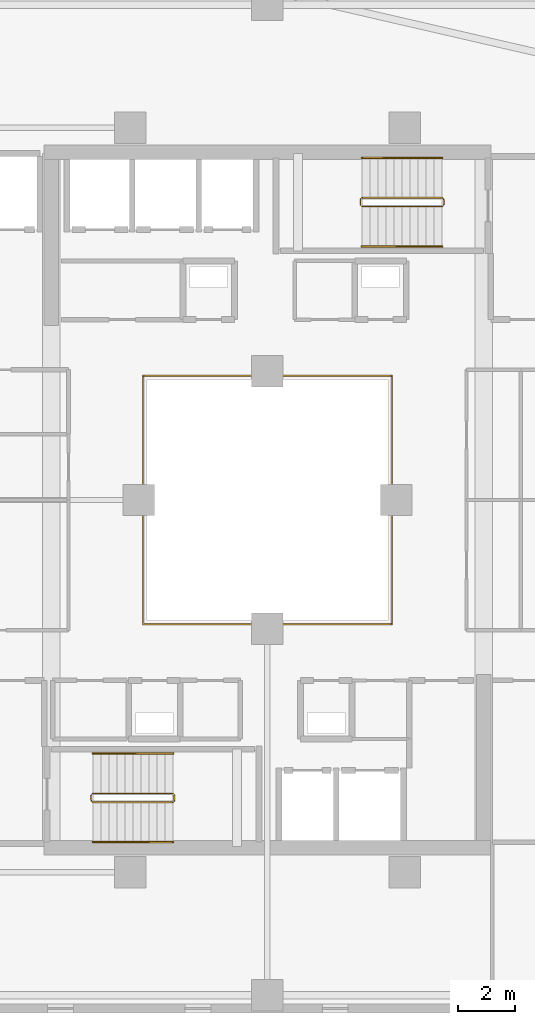
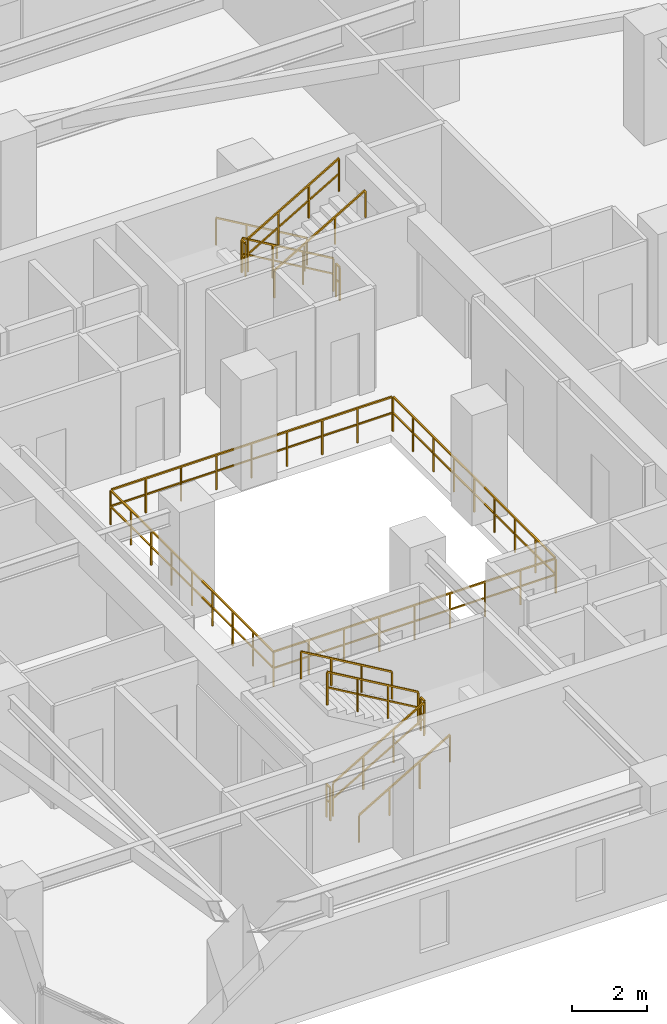
# One storey, part 30 of 33: 13 railings.
"""IFC4 building model written with IfcOpenShell, lengths in metres."""

from ifc_helpers import new_model, si_unit, direction, frame, origin, origin_2d, place, context, subcontext, project, spatial, rectangle, extrude, material, type_object, element, save


model = new_model("IFC4")

# Units and contexts
model_context = context("Model", 3, precision=1e-05, world=origin(), true_north=direction((0.0, 1.0)))
body_context = subcontext(model_context, "Body", "Model", "MODEL_VIEW")
ifc_project = project(units=[si_unit("LENGTHUNIT", "METRE"), si_unit("AREAUNIT", "SQUARE_METRE"), si_unit("VOLUMEUNIT", "CUBIC_METRE"), si_unit("PLANEANGLEUNIT", "RADIAN"), si_unit("MASSUNIT", "GRAM", prefix="KILO")], contexts=[model_context])

# Site, building, storey
site_placement = place(None, origin())
site = spatial("IfcSite", under=ifc_project, at=site_placement, CompositionType="ELEMENT")
building_placement = place(site_placement, origin())
building = spatial("IfcBuilding", under=site, at=building_placement, Name="Thornwick Lancets Civic Towers", CompositionType="ELEMENT")
storey_placement = place(building_placement, frame((0.0, 0.0, 192.89990234375)))
storey = spatial("IfcBuildingStorey", under=building, at=storey_placement, Name="L51", CompositionType="ELEMENT", Elevation=192.89990234375)

# Railings
ifc_material_1 = material(Name="Laminated glass and bronze steel S355", Category="steel")
railing_type_1 = type_object("IfcRailingType", Name="RAIL_ATRIUM_GUARD", PredefinedType="BALUSTRADE", material=ifc_material_1)
railing_1_placement = place(storey_placement, frame((21.159912109375, 22.659912109375, 0.0)))
element("IfcRailing", 1, at=railing_1_placement, inside=storey, type_object=railing_type_1, Name="L51 Tower A Central Atrium Guard Balustrade", PredefinedType="BALUSTRADE", context=body_context, shape_type="SweptSolid", body=[
    extrude(rectangle(XDim=0.048095703125, YDim=0.048095703125, at=origin_2d()), frame((0.0, 0.0, 1.1259765625), z_axis=(1.0, 0.0, 0.0), x_axis=(0.0, 1.0, 0.0)), (0.0, 0.0, 1.0), 8.64892578125),
    extrude(rectangle(XDim=0.0419921875, YDim=0.0419921875, at=origin_2d()), frame((0.03759765625, 0.0, 0.597900390625), z_axis=(1.0, 0.0, 0.0), x_axis=(0.0, 1.0, 0.0)), (0.0, 0.0, 1.0), 1.010009765625),
    extrude(rectangle(XDim=0.0419921875, YDim=0.0419921875, at=origin_2d()), frame((1.12255859375, 0.0, 0.597900390625), z_axis=(1.0, 0.0, 0.0), x_axis=(0.0, 1.0, 0.0)), (0.0, 0.0, 1.0), 1.010009765625),
    extrude(rectangle(XDim=0.0419921875, YDim=0.0419921875, at=origin_2d()), frame((2.20751953125, 0.0, 0.597900390625), z_axis=(1.0, 0.0, 0.0), x_axis=(0.0, 1.0, 0.0)), (0.0, 0.0, 1.0), 1.010009765625),
    extrude(rectangle(XDim=0.0419921875, YDim=0.0419921875, at=origin_2d()), frame((3.29248046875, 0.0, 0.597900390625), z_axis=(1.0, 0.0, 0.0), x_axis=(0.0, 1.0, 0.0)), (0.0, 0.0, 1.0), 1.010009765625),
    extrude(rectangle(XDim=0.0419921875, YDim=0.0419921875, at=origin_2d()), frame((4.377685546875, 0.0, 0.597900390625), z_axis=(1.0, 0.0, 0.0), x_axis=(0.0, 1.0, 0.0)), (0.0, 0.0, 1.0), 1.010009765625),
    extrude(rectangle(XDim=0.0419921875, YDim=0.0419921875, at=origin_2d()), frame((5.462646484375, 0.0, 0.597900390625), z_axis=(1.0, 0.0, 0.0), x_axis=(0.0, 1.0, 0.0)), (0.0, 0.0, 1.0), 1.010009765625),
    extrude(rectangle(XDim=0.0419921875, YDim=0.0419921875, at=origin_2d()), frame((6.547607421875, 0.0, 0.597900390625), z_axis=(1.0, 0.0, 0.0), x_axis=(0.0, 1.0, 0.0)), (0.0, 0.0, 1.0), 1.010009765625),
    extrude(rectangle(XDim=0.0419921875, YDim=0.0419921875, at=origin_2d()), frame((7.632568359375, 0.0, 0.597900390625), z_axis=(1.0, 0.0, 0.0), x_axis=(0.0, 1.0, 0.0)), (0.0, 0.0, 1.0), 1.010009765625),
    extrude(rectangle(XDim=0.048095703125, YDim=0.048095703125, at=origin_2d()), frame((8.68017578125, 0.03125, 1.1259765625), z_axis=(0.0, 1.0, 0.0), x_axis=(-1.0, 0.0, 0.0)), (0.0, 0.0, 1.0), 8.61767578125),
    extrude(rectangle(XDim=0.0419921875, YDim=0.0419921875, at=origin_2d()), frame((8.68017578125, 0.03759765625, 0.597900390625), z_axis=(0.0, 1.0, 0.0), x_axis=(-1.0, 0.0, 0.0)), (0.0, 0.0, 1.0), 1.010009765625),
    extrude(rectangle(XDim=0.0419921875, YDim=0.0419921875, at=origin_2d()), frame((8.68017578125, 1.12255859375, 0.597900390625), z_axis=(0.0, 1.0, 0.0), x_axis=(-1.0, 0.0, 0.0)), (0.0, 0.0, 1.0), 1.010009765625),
    extrude(rectangle(XDim=0.0419921875, YDim=0.0419921875, at=origin_2d()), frame((8.68017578125, 2.20751953125, 0.597900390625), z_axis=(0.0, 1.0, 0.0), x_axis=(-1.0, 0.0, 0.0)), (0.0, 0.0, 1.0), 1.010009765625),
    extrude(rectangle(XDim=0.0419921875, YDim=0.0419921875, at=origin_2d()), frame((8.68017578125, 3.29248046875, 0.597900390625), z_axis=(0.0, 1.0, 0.0), x_axis=(-1.0, 0.0, 0.0)), (0.0, 0.0, 1.0), 1.010009765625),
    extrude(rectangle(XDim=0.0419921875, YDim=0.0419921875, at=origin_2d()), frame((8.68017578125, 4.377685546875, 0.597900390625), z_axis=(0.0, 1.0, 0.0), x_axis=(-1.0, 0.0, 0.0)), (0.0, 0.0, 1.0), 1.010009765625),
    extrude(rectangle(XDim=0.0419921875, YDim=0.0419921875, at=origin_2d()), frame((8.68017578125, 5.462646484375, 0.597900390625), z_axis=(0.0, 1.0, 0.0), x_axis=(-1.0, 0.0, 0.0)), (0.0, 0.0, 1.0), 1.010009765625),
    extrude(rectangle(XDim=0.0419921875, YDim=0.0419921875, at=origin_2d()), frame((8.68017578125, 6.547607421875, 0.597900390625), z_axis=(0.0, 1.0, 0.0), x_axis=(-1.0, 0.0, 0.0)), (0.0, 0.0, 1.0), 1.010009765625),
    extrude(rectangle(XDim=0.0419921875, YDim=0.0419921875, at=origin_2d()), frame((8.68017578125, 7.632568359375, 0.597900390625), z_axis=(0.0, 1.0, 0.0), x_axis=(-1.0, 0.0, 0.0)), (0.0, 0.0, 1.0), 1.010009765625),
    extrude(rectangle(XDim=0.048095703125, YDim=0.048095703125, at=origin_2d()), frame((8.64892578125, 8.68017578125, 1.1259765625), z_axis=(-1.0, 0.0, 0.0), x_axis=(0.0, -1.0, 0.0)), (0.0, 0.0, 1.0), 8.61767578125),
    extrude(rectangle(XDim=0.0419921875, YDim=0.0419921875, at=origin_2d()), frame((8.642578125, 8.68017578125, 0.597900390625), z_axis=(-1.0, 0.0, 0.0), x_axis=(0.0, -1.0, 0.0)), (0.0, 0.0, 1.0), 1.010009765625),
    extrude(rectangle(XDim=0.0419921875, YDim=0.0419921875, at=origin_2d()), frame((7.5576171875, 8.68017578125, 0.597900390625), z_axis=(-1.0, 0.0, 0.0), x_axis=(0.0, -1.0, 0.0)), (0.0, 0.0, 1.0), 1.010009765625),
    extrude(rectangle(XDim=0.0419921875, YDim=0.0419921875, at=origin_2d()), frame((6.47265625, 8.68017578125, 0.597900390625), z_axis=(-1.0, 0.0, 0.0), x_axis=(0.0, -1.0, 0.0)), (0.0, 0.0, 1.0), 1.010009765625),
    extrude(rectangle(XDim=0.0419921875, YDim=0.0419921875, at=origin_2d()), frame((5.3876953125, 8.68017578125, 0.597900390625), z_axis=(-1.0, 0.0, 0.0), x_axis=(0.0, -1.0, 0.0)), (0.0, 0.0, 1.0), 1.010009765625),
    extrude(rectangle(XDim=0.0419921875, YDim=0.0419921875, at=origin_2d()), frame((4.302490234375, 8.68017578125, 0.597900390625), z_axis=(-1.0, 0.0, 0.0), x_axis=(0.0, -1.0, 0.0)), (0.0, 0.0, 1.0), 1.010009765625),
    extrude(rectangle(XDim=0.0419921875, YDim=0.0419921875, at=origin_2d()), frame((3.217529296875, 8.68017578125, 0.597900390625), z_axis=(-1.0, 0.0, 0.0), x_axis=(0.0, -1.0, 0.0)), (0.0, 0.0, 1.0), 1.010009765625),
    extrude(rectangle(XDim=0.0419921875, YDim=0.0419921875, at=origin_2d()), frame((2.132568359375, 8.68017578125, 0.597900390625), z_axis=(-1.0, 0.0, 0.0), x_axis=(0.0, -1.0, 0.0)), (0.0, 0.0, 1.0), 1.010009765625),
    extrude(rectangle(XDim=0.0419921875, YDim=0.0419921875, at=origin_2d()), frame((1.047607421875, 8.68017578125, 0.597900390625), z_axis=(-1.0, 0.0, 0.0), x_axis=(0.0, -1.0, 0.0)), (0.0, 0.0, 1.0), 1.010009765625),
    extrude(rectangle(XDim=0.048095703125, YDim=0.048095703125, at=origin_2d()), frame((0.0, 8.64892578125, 1.1259765625), z_axis=(0.0, -1.0, 0.0), x_axis=(1.0, 0.0, 0.0)), (0.0, 0.0, 1.0), 8.64892578125),
    extrude(rectangle(XDim=0.0419921875, YDim=0.0419921875, at=origin_2d()), frame((0.0, 8.642578125, 0.597900390625), z_axis=(0.0, -1.0, 0.0), x_axis=(1.0, 0.0, 0.0)), (0.0, 0.0, 1.0), 1.010009765625),
    extrude(rectangle(XDim=0.0419921875, YDim=0.0419921875, at=origin_2d()), frame((0.0, 7.5576171875, 0.597900390625), z_axis=(0.0, -1.0, 0.0), x_axis=(1.0, 0.0, 0.0)), (0.0, 0.0, 1.0), 1.010009765625),
    extrude(rectangle(XDim=0.0419921875, YDim=0.0419921875, at=origin_2d()), frame((0.0, 6.47265625, 0.597900390625), z_axis=(0.0, -1.0, 0.0), x_axis=(1.0, 0.0, 0.0)), (0.0, 0.0, 1.0), 1.010009765625),
    extrude(rectangle(XDim=0.0419921875, YDim=0.0419921875, at=origin_2d()), frame((0.0, 5.3876953125, 0.597900390625), z_axis=(0.0, -1.0, 0.0), x_axis=(1.0, 0.0, 0.0)), (0.0, 0.0, 1.0), 1.010009765625),
    extrude(rectangle(XDim=0.0419921875, YDim=0.0419921875, at=origin_2d()), frame((0.0, 4.302490234375, 0.597900390625), z_axis=(0.0, -1.0, 0.0), x_axis=(1.0, 0.0, 0.0)), (0.0, 0.0, 1.0), 1.010009765625),
    extrude(rectangle(XDim=0.0419921875, YDim=0.0419921875, at=origin_2d()), frame((0.0, 3.217529296875, 0.597900390625), z_axis=(0.0, -1.0, 0.0), x_axis=(1.0, 0.0, 0.0)), (0.0, 0.0, 1.0), 1.010009765625),
    extrude(rectangle(XDim=0.0419921875, YDim=0.0419921875, at=origin_2d()), frame((0.0, 2.132568359375, 0.597900390625), z_axis=(0.0, -1.0, 0.0), x_axis=(1.0, 0.0, 0.0)), (0.0, 0.0, 1.0), 1.010009765625),
    extrude(rectangle(XDim=0.0419921875, YDim=0.0419921875, at=origin_2d()), frame((0.0, 1.047607421875, 0.597900390625), z_axis=(0.0, -1.0, 0.0), x_axis=(1.0, 0.0, 0.0)), (0.0, 0.0, 1.0), 1.010009765625),
    extrude(rectangle(XDim=0.0419921875, YDim=0.0419921875, at=origin_2d()), origin(), (0.0, 0.0, 1.0), 1.095703125),
    extrude(rectangle(XDim=0.0419921875, YDim=0.0419921875, at=origin_2d()), frame((1.0849609375, 0.0, 0.0)), (0.0, 0.0, 1.0), 1.095703125),
    extrude(rectangle(XDim=0.0419921875, YDim=0.0419921875, at=origin_2d()), frame((2.169921875, 0.0, 0.0)), (0.0, 0.0, 1.0), 1.095703125),
    extrude(rectangle(XDim=0.0419921875, YDim=0.0419921875, at=origin_2d()), frame((3.255126953125, 0.0, 0.0)), (0.0, 0.0, 1.0), 1.095703125),
    extrude(rectangle(XDim=0.0419921875, YDim=0.0419921875, at=origin_2d()), frame((4.340087890625, 0.0, 0.0)), (0.0, 0.0, 1.0), 1.095703125),
    extrude(rectangle(XDim=0.0419921875, YDim=0.0419921875, at=origin_2d()), frame((5.425048828125, 0.0, 0.0)), (0.0, 0.0, 1.0), 1.095703125),
    extrude(rectangle(XDim=0.0419921875, YDim=0.0419921875, at=origin_2d()), frame((6.51025390625, 0.0, 0.0)), (0.0, 0.0, 1.0), 1.095703125),
    extrude(rectangle(XDim=0.0419921875, YDim=0.0419921875, at=origin_2d()), frame((7.59521484375, 0.0, 0.0)), (0.0, 0.0, 1.0), 1.095703125),
    extrude(rectangle(XDim=0.0419921875, YDim=0.0419921875, at=origin_2d()), frame((8.68017578125, 0.0, 0.0)), (0.0, 0.0, 1.0), 1.095703125),
    extrude(rectangle(XDim=0.0419921875, YDim=0.0419921875, at=origin_2d()), frame((8.68017578125, 1.0849609375, 0.0)), (0.0, 0.0, 1.0), 1.095703125),
    extrude(rectangle(XDim=0.0419921875, YDim=0.0419921875, at=origin_2d()), frame((8.68017578125, 2.169921875, 0.0)), (0.0, 0.0, 1.0), 1.095703125),
    extrude(rectangle(XDim=0.0419921875, YDim=0.0419921875, at=origin_2d()), frame((8.68017578125, 3.255126953125, 0.0)), (0.0, 0.0, 1.0), 1.095703125),
    extrude(rectangle(XDim=0.0419921875, YDim=0.0419921875, at=origin_2d()), frame((8.68017578125, 4.340087890625, 0.0)), (0.0, 0.0, 1.0), 1.095703125),
    extrude(rectangle(XDim=0.0419921875, YDim=0.0419921875, at=origin_2d()), frame((8.68017578125, 5.425048828125, 0.0)), (0.0, 0.0, 1.0), 1.095703125),
    extrude(rectangle(XDim=0.0419921875, YDim=0.0419921875, at=origin_2d()), frame((8.68017578125, 6.51025390625, 0.0)), (0.0, 0.0, 1.0), 1.095703125),
    extrude(rectangle(XDim=0.0419921875, YDim=0.0419921875, at=origin_2d()), frame((8.68017578125, 7.59521484375, 0.0)), (0.0, 0.0, 1.0), 1.095703125),
    extrude(rectangle(XDim=0.0419921875, YDim=0.0419921875, at=origin_2d()), frame((8.68017578125, 8.68017578125, 0.0)), (0.0, 0.0, 1.0), 1.095703125),
    extrude(rectangle(XDim=0.0419921875, YDim=0.0419921875, at=origin_2d()), frame((7.59521484375, 8.68017578125, 0.0)), (0.0, 0.0, 1.0), 1.095703125),
    extrude(rectangle(XDim=0.0419921875, YDim=0.0419921875, at=origin_2d()), frame((6.51025390625, 8.68017578125, 0.0)), (0.0, 0.0, 1.0), 1.095703125),
    extrude(rectangle(XDim=0.0419921875, YDim=0.0419921875, at=origin_2d()), frame((5.425048828125, 8.68017578125, 0.0)), (0.0, 0.0, 1.0), 1.095703125),
    extrude(rectangle(XDim=0.0419921875, YDim=0.0419921875, at=origin_2d()), frame((4.340087890625, 8.68017578125, 0.0)), (0.0, 0.0, 1.0), 1.095703125),
    extrude(rectangle(XDim=0.0419921875, YDim=0.0419921875, at=origin_2d()), frame((3.255126953125, 8.68017578125, 0.0)), (0.0, 0.0, 1.0), 1.095703125),
    extrude(rectangle(XDim=0.0419921875, YDim=0.0419921875, at=origin_2d()), frame((2.169921875, 8.68017578125, 0.0)), (0.0, 0.0, 1.0), 1.095703125),
    extrude(rectangle(XDim=0.0419921875, YDim=0.0419921875, at=origin_2d()), frame((1.0849609375, 8.68017578125, 0.0)), (0.0, 0.0, 1.0), 1.095703125),
    extrude(rectangle(XDim=0.0419921875, YDim=0.0419921875, at=origin_2d()), frame((0.0, 8.68017578125, 0.0)), (0.0, 0.0, 1.0), 1.095703125),
    extrude(rectangle(XDim=0.0419921875, YDim=0.0419921875, at=origin_2d()), frame((0.0, 7.59521484375, 0.0)), (0.0, 0.0, 1.0), 1.095703125),
    extrude(rectangle(XDim=0.0419921875, YDim=0.0419921875, at=origin_2d()), frame((0.0, 6.51025390625, 0.0)), (0.0, 0.0, 1.0), 1.095703125),
    extrude(rectangle(XDim=0.0419921875, YDim=0.0419921875, at=origin_2d()), frame((0.0, 5.425048828125, 0.0)), (0.0, 0.0, 1.0), 1.095703125),
    extrude(rectangle(XDim=0.0419921875, YDim=0.0419921875, at=origin_2d()), frame((0.0, 4.340087890625, 0.0)), (0.0, 0.0, 1.0), 1.095703125),
    extrude(rectangle(XDim=0.0419921875, YDim=0.0419921875, at=origin_2d()), frame((0.0, 3.255126953125, 0.0)), (0.0, 0.0, 1.0), 1.095703125),
    extrude(rectangle(XDim=0.0419921875, YDim=0.0419921875, at=origin_2d()), frame((0.0, 2.169921875, 0.0)), (0.0, 0.0, 1.0), 1.095703125),
    extrude(rectangle(XDim=0.0419921875, YDim=0.0419921875, at=origin_2d()), frame((0.0, 1.0849609375, 0.0)), (0.0, 0.0, 1.0), 1.095703125),
])
ifc_material_2 = material(Name="Brushed stainless steel S355", Category="steel")
railing_type_2 = type_object("IfcRailingType", Name="RAIL_HANDRAIL", PredefinedType="HANDRAIL", material=ifc_material_2)
railing_2_placement = place(storey_placement, frame((19.39990234375, 15.050048828125, 0.163818359375)))
element("IfcRailing", 2, at=railing_2_placement, inside=storey, type_object=railing_type_2, Name="L51 ST-A1 stair handrail 1", PredefinedType="HANDRAIL", context=body_context, shape_type="SweptSolid", body=[
    extrude(rectangle(XDim=0.048095703125, YDim=0.048095703125, at=origin_2d()), frame((0.0, 0.0, 0.8857421875), z_axis=(0.863393664356, 0.0, 0.504530851732), x_axis=(0.0, 1.0, 0.0)), (0.0, 0.0, 1.0), 3.2431640625),
    extrude(rectangle(XDim=0.0419921875, YDim=0.0419921875, at=origin_2d()), origin(), (0.0, 0.0, 1.0), 0.855712890625),
    extrude(rectangle(XDim=0.0419921875, YDim=0.0419921875, at=origin_2d()), frame((0.933349609375, 0.0, 0.54541015625)), (0.0, 0.0, 1.0), 0.855712890625),
    extrude(rectangle(XDim=0.0419921875, YDim=0.0419921875, at=origin_2d()), frame((1.86669921875, 0.0, 1.0908203125)), (0.0, 0.0, 1.0), 0.855712890625),
    extrude(rectangle(XDim=0.0419921875, YDim=0.0419921875, at=origin_2d()), frame((2.800048828125, 0.0, 1.63623046875)), (0.0, 0.0, 1.0), 0.855712890625),
])
railing_3_placement = place(storey_placement, frame((22.199951171875, 18.14990234375, 1.963623046875)))
element("IfcRailing", 3, at=railing_3_placement, inside=storey, type_object=railing_type_2, Name="L51 ST-A1 stair handrail 2", PredefinedType="HANDRAIL", context=body_context, shape_type="SweptSolid", body=[
    extrude(rectangle(XDim=0.048095703125, YDim=0.048095703125, at=origin_2d()), frame((0.0, 0.0, 0.8857421875), z_axis=(-0.863360870873, 0.0, 0.504586966384), x_axis=(0.0, -1.0, 0.0)), (0.0, 0.0, 1.0), 3.2431640625),
    extrude(rectangle(XDim=0.0419921875, YDim=0.0419921875, at=origin_2d()), origin(), (0.0, 0.0, 1.0), 0.855712890625),
    extrude(rectangle(XDim=0.0419921875, YDim=0.0419921875, at=origin_2d()), frame((-0.933349609375, 0.0, 0.54541015625)), (0.0, 0.0, 1.0), 0.855712890625),
    extrude(rectangle(XDim=0.0419921875, YDim=0.0419921875, at=origin_2d()), frame((-1.86669921875, 0.0, 1.091064453125)), (0.0, 0.0, 1.0), 0.855712890625),
    extrude(rectangle(XDim=0.0419921875, YDim=0.0419921875, at=origin_2d()), frame((-2.800048828125, 0.0, 1.636474609375)), (0.0, 0.0, 1.0), 0.855712890625),
])
railing_4_placement = place(storey_placement, frame((31.60009765625, 38.949951171875, 0.163818359375)))
element("IfcRailing", 4, at=railing_4_placement, inside=storey, type_object=railing_type_2, Name="L51 ST-A2 stair handrail 1", PredefinedType="HANDRAIL", context=body_context, shape_type="SweptSolid", body=[
    extrude(rectangle(XDim=0.048095703125, YDim=0.048095703125, at=origin_2d()), frame((0.0, 0.0, 0.8857421875), z_axis=(-0.863393664356, 0.0, 0.504530851732), x_axis=(0.0, -1.0, 0.0)), (0.0, 0.0, 1.0), 3.2431640625),
    extrude(rectangle(XDim=0.0419921875, YDim=0.0419921875, at=origin_2d()), origin(), (0.0, 0.0, 1.0), 0.855712890625),
    extrude(rectangle(XDim=0.0419921875, YDim=0.0419921875, at=origin_2d()), frame((-0.933349609375, 0.0, 0.54541015625)), (0.0, 0.0, 1.0), 0.855712890625),
    extrude(rectangle(XDim=0.0419921875, YDim=0.0419921875, at=origin_2d()), frame((-1.86669921875, 0.0, 1.0908203125)), (0.0, 0.0, 1.0), 0.855712890625),
    extrude(rectangle(XDim=0.0419921875, YDim=0.0419921875, at=origin_2d()), frame((-2.800048828125, 0.0, 1.63623046875)), (0.0, 0.0, 1.0), 0.855712890625),
])
railing_5_placement = place(storey_placement, frame((28.800048828125, 35.85009765625, 1.963623046875)))
element("IfcRailing", 5, at=railing_5_placement, inside=storey, type_object=railing_type_2, Name="L51 ST-A2 stair handrail 2", PredefinedType="HANDRAIL", context=body_context, shape_type="SweptSolid", body=[
    extrude(rectangle(XDim=0.048095703125, YDim=0.048095703125, at=origin_2d()), frame((0.0, 0.0, 0.8857421875), z_axis=(0.863360870873, 0.0, 0.504586966384), x_axis=(0.0, 1.0, 0.0)), (0.0, 0.0, 1.0), 3.2431640625),
    extrude(rectangle(XDim=0.0419921875, YDim=0.0419921875, at=origin_2d()), origin(), (0.0, 0.0, 1.0), 0.855712890625),
    extrude(rectangle(XDim=0.0419921875, YDim=0.0419921875, at=origin_2d()), frame((0.933349609375, 0.0, 0.54541015625)), (0.0, 0.0, 1.0), 0.855712890625),
    extrude(rectangle(XDim=0.0419921875, YDim=0.0419921875, at=origin_2d()), frame((1.86669921875, 0.0, 1.091064453125)), (0.0, 0.0, 1.0), 0.855712890625),
    extrude(rectangle(XDim=0.0419921875, YDim=0.0419921875, at=origin_2d()), frame((2.800048828125, 0.0, 1.636474609375)), (0.0, 0.0, 1.0), 0.855712890625),
])
ifc_material_3 = material(Name="Steel S355JR", Category="steel")
railing_type_3 = type_object("IfcRailingType", Name="RAIL_STAIR_GUARD", PredefinedType="GUARDRAIL", material=ifc_material_3)
railing_6_placement = place(storey_placement, frame((19.39990234375, 16.449951171875, 0.163818359375)))
element("IfcRailing", 6, at=railing_6_placement, inside=storey, type_object=railing_type_3, Name="L51 ST-A1 stair guard 1", PredefinedType="GUARDRAIL", context=body_context, shape_type="SweptSolid", body=[
    extrude(rectangle(XDim=0.048095703125, YDim=0.048095703125, at=origin_2d()), frame((0.0, 0.0, 1.076171875), z_axis=(0.863393664356, 0.0, 0.504530851732), x_axis=(0.0, 1.0, 0.0)), (0.0, 0.0, 1.0), 3.2431640625),
    extrude(rectangle(XDim=0.0419921875, YDim=0.0419921875, at=origin_2d()), frame((0.032470703125, 0.0, 0.591064453125), z_axis=(0.863393664356, 0.0, 0.504530851732), x_axis=(0.0, 1.0, 0.0)), (0.0, 0.0, 1.0), 1.006103515625),
    extrude(rectangle(XDim=0.0419921875, YDim=0.0419921875, at=origin_2d()), frame((0.9658203125, 0.0, 1.136474609375), z_axis=(0.863393664356, 0.0, 0.504530851732), x_axis=(0.0, 1.0, 0.0)), (0.0, 0.0, 1.0), 1.006103515625),
    extrude(rectangle(XDim=0.0419921875, YDim=0.0419921875, at=origin_2d()), frame((1.899169921875, 0.0, 1.681884765625), z_axis=(0.863393664356, 0.0, 0.504530851732), x_axis=(0.0, 1.0, 0.0)), (0.0, 0.0, 1.0), 1.006103515625),
    extrude(rectangle(XDim=0.0419921875, YDim=0.0419921875, at=origin_2d()), origin(), (0.0, 0.0, 1.0), 1.0458984375),
    extrude(rectangle(XDim=0.0419921875, YDim=0.0419921875, at=origin_2d()), frame((0.933349609375, 0.0, 0.54541015625)), (0.0, 0.0, 1.0), 1.0458984375),
    extrude(rectangle(XDim=0.0419921875, YDim=0.0419921875, at=origin_2d()), frame((1.86669921875, 0.0, 1.0908203125)), (0.0, 0.0, 1.0), 1.0458984375),
    extrude(rectangle(XDim=0.0419921875, YDim=0.0419921875, at=origin_2d()), frame((2.800048828125, 0.0, 1.63623046875)), (0.0, 0.0, 1.0), 1.0458984375),
])
railing_7_placement = place(storey_placement, frame((22.25, 16.5, 1.800048828125)))
element("IfcRailing", 7, at=railing_7_placement, inside=storey, type_object=railing_type_3, Name="L51 ST-A1 stair guard 2", PredefinedType="GUARDRAIL", context=body_context, shape_type="SweptSolid", body=[
    extrude(rectangle(XDim=0.048095703125, YDim=0.048095703125, at=origin_2d()), frame((0.0, 0.0, 1.076171875), z_axis=(0.0, 1.0, 0.0), x_axis=(-1.0, 0.0, 0.0)), (0.0, 0.0, 1.0), 0.199951171875),
    extrude(rectangle(XDim=0.0419921875, YDim=0.0419921875, at=origin_2d()), frame((0.0, 0.03759765625, 0.572021484375), z_axis=(0.0, 1.0, 0.0), x_axis=(-1.0, 0.0, 0.0)), (0.0, 0.0, 1.0), 0.125),
    extrude(rectangle(XDim=0.0419921875, YDim=0.0419921875, at=origin_2d()), origin(), (0.0, 0.0, 1.0), 1.0458984375),
    extrude(rectangle(XDim=0.0419921875, YDim=0.0419921875, at=origin_2d()), frame((0.0, 0.199951171875, 0.0)), (0.0, 0.0, 1.0), 1.0458984375),
])
railing_8_placement = place(storey_placement, frame((22.199951171875, 16.75, 1.963623046875)))
element("IfcRailing", 8, at=railing_8_placement, inside=storey, type_object=railing_type_3, Name="L51 ST-A1 stair guard 3", PredefinedType="GUARDRAIL", context=body_context, shape_type="SweptSolid", body=[
    extrude(rectangle(XDim=0.048095703125, YDim=0.048095703125, at=origin_2d()), frame((0.0, 0.0, 1.076171875), z_axis=(-0.863360870873, 0.0, 0.504586966384), x_axis=(0.0, -1.0, 0.0)), (0.0, 0.0, 1.0), 3.2431640625),
    extrude(rectangle(XDim=0.0419921875, YDim=0.0419921875, at=origin_2d()), frame((-0.032470703125, 0.0, 0.591064453125), z_axis=(-0.863360870873, 0.0, 0.504586966384), x_axis=(0.0, -1.0, 0.0)), (0.0, 0.0, 1.0), 1.006103515625),
    extrude(rectangle(XDim=0.0419921875, YDim=0.0419921875, at=origin_2d()), frame((-0.9658203125, 0.0, 1.136474609375), z_axis=(-0.863360870873, 0.0, 0.504586966384), x_axis=(0.0, -1.0, 0.0)), (0.0, 0.0, 1.0), 1.006103515625),
    extrude(rectangle(XDim=0.0419921875, YDim=0.0419921875, at=origin_2d()), frame((-1.899169921875, 0.0, 1.681884765625), z_axis=(-0.863360870873, 0.0, 0.504586966384), x_axis=(0.0, -1.0, 0.0)), (0.0, 0.0, 1.0), 1.006103515625),
    extrude(rectangle(XDim=0.0419921875, YDim=0.0419921875, at=origin_2d()), origin(), (0.0, 0.0, 1.0), 1.0458984375),
    extrude(rectangle(XDim=0.0419921875, YDim=0.0419921875, at=origin_2d()), frame((-0.933349609375, 0.0, 0.54541015625)), (0.0, 0.0, 1.0), 1.0458984375),
    extrude(rectangle(XDim=0.0419921875, YDim=0.0419921875, at=origin_2d()), frame((-1.86669921875, 0.0, 1.091064453125)), (0.0, 0.0, 1.0), 1.0458984375),
    extrude(rectangle(XDim=0.0419921875, YDim=0.0419921875, at=origin_2d()), frame((-2.800048828125, 0.0, 1.636474609375)), (0.0, 0.0, 1.0), 1.0458984375),
])
railing_9_placement = place(storey_placement, frame((19.35009765625, 16.5, 0.0)))
element("IfcRailing", 9, at=railing_9_placement, inside=storey, type_object=railing_type_3, Name="L51 ST-A1 stair guard 4", PredefinedType="GUARDRAIL", context=body_context, shape_type="SweptSolid", body=[
    extrude(rectangle(XDim=0.048095703125, YDim=0.048095703125, at=origin_2d()), frame((0.0, 0.0, 1.076171875), z_axis=(0.0, 1.0, 0.0), x_axis=(-1.0, 0.0, 0.0)), (0.0, 0.0, 1.0), 0.199951171875),
    extrude(rectangle(XDim=0.0419921875, YDim=0.0419921875, at=origin_2d()), frame((0.0, 0.03759765625, 0.572021484375), z_axis=(0.0, 1.0, 0.0), x_axis=(-1.0, 0.0, 0.0)), (0.0, 0.0, 1.0), 0.125),
    extrude(rectangle(XDim=0.0419921875, YDim=0.0419921875, at=origin_2d()), origin(), (0.0, 0.0, 1.0), 1.0458984375),
    extrude(rectangle(XDim=0.0419921875, YDim=0.0419921875, at=origin_2d()), frame((0.0, 0.199951171875, 0.0)), (0.0, 0.0, 1.0), 1.0458984375),
])
railing_10_placement = place(storey_placement, frame((31.60009765625, 37.550048828125, 0.163818359375)))
element("IfcRailing", 10, at=railing_10_placement, inside=storey, type_object=railing_type_3, Name="L51 ST-A2 stair guard 1", PredefinedType="GUARDRAIL", context=body_context, shape_type="SweptSolid", body=[
    extrude(rectangle(XDim=0.048095703125, YDim=0.048095703125, at=origin_2d()), frame((0.0, 0.0, 1.076171875), z_axis=(-0.863393664356, 0.0, 0.504530851732), x_axis=(0.0, -1.0, 0.0)), (0.0, 0.0, 1.0), 3.2431640625),
    extrude(rectangle(XDim=0.0419921875, YDim=0.0419921875, at=origin_2d()), frame((-0.032470703125, 0.0, 0.591064453125), z_axis=(-0.863393664356, 0.0, 0.504530851732), x_axis=(0.0, -1.0, 0.0)), (0.0, 0.0, 1.0), 1.006103515625),
    extrude(rectangle(XDim=0.0419921875, YDim=0.0419921875, at=origin_2d()), frame((-0.9658203125, 0.0, 1.136474609375), z_axis=(-0.863393664356, 0.0, 0.504530851732), x_axis=(0.0, -1.0, 0.0)), (0.0, 0.0, 1.0), 1.006103515625),
    extrude(rectangle(XDim=0.0419921875, YDim=0.0419921875, at=origin_2d()), frame((-1.899169921875, 0.0, 1.681884765625), z_axis=(-0.863393664356, 0.0, 0.504530851732), x_axis=(0.0, -1.0, 0.0)), (0.0, 0.0, 1.0), 1.006103515625),
    extrude(rectangle(XDim=0.0419921875, YDim=0.0419921875, at=origin_2d()), origin(), (0.0, 0.0, 1.0), 1.0458984375),
    extrude(rectangle(XDim=0.0419921875, YDim=0.0419921875, at=origin_2d()), frame((-0.933349609375, 0.0, 0.54541015625)), (0.0, 0.0, 1.0), 1.0458984375),
    extrude(rectangle(XDim=0.0419921875, YDim=0.0419921875, at=origin_2d()), frame((-1.86669921875, 0.0, 1.0908203125)), (0.0, 0.0, 1.0), 1.0458984375),
    extrude(rectangle(XDim=0.0419921875, YDim=0.0419921875, at=origin_2d()), frame((-2.800048828125, 0.0, 1.63623046875)), (0.0, 0.0, 1.0), 1.0458984375),
])
railing_11_placement = place(storey_placement, frame((28.75, 37.5, 1.800048828125)))
element("IfcRailing", 11, at=railing_11_placement, inside=storey, type_object=railing_type_3, Name="L51 ST-A2 stair guard 2", PredefinedType="GUARDRAIL", context=body_context, shape_type="SweptSolid", body=[
    extrude(rectangle(XDim=0.048095703125, YDim=0.048095703125, at=origin_2d()), frame((0.0, 0.0, 1.076171875), z_axis=(0.0, -1.0, 0.0), x_axis=(1.0, 0.0, 0.0)), (0.0, 0.0, 1.0), 0.199951171875),
    extrude(rectangle(XDim=0.0419921875, YDim=0.0419921875, at=origin_2d()), frame((0.0, -0.03759765625, 0.572021484375), z_axis=(0.0, -1.0, 0.0), x_axis=(1.0, 0.0, 0.0)), (0.0, 0.0, 1.0), 0.125),
    extrude(rectangle(XDim=0.0419921875, YDim=0.0419921875, at=origin_2d()), origin(), (0.0, 0.0, 1.0), 1.0458984375),
    extrude(rectangle(XDim=0.0419921875, YDim=0.0419921875, at=origin_2d()), frame((0.0, -0.199951171875, 0.0)), (0.0, 0.0, 1.0), 1.0458984375),
])
railing_12_placement = place(storey_placement, frame((28.800048828125, 37.25, 1.963623046875)))
element("IfcRailing", 12, at=railing_12_placement, inside=storey, type_object=railing_type_3, Name="L51 ST-A2 stair guard 3", PredefinedType="GUARDRAIL", context=body_context, shape_type="SweptSolid", body=[
    extrude(rectangle(XDim=0.048095703125, YDim=0.048095703125, at=origin_2d()), frame((0.0, 0.0, 1.076171875), z_axis=(0.863360870873, 0.0, 0.504586966384), x_axis=(0.0, 1.0, 0.0)), (0.0, 0.0, 1.0), 3.2431640625),
    extrude(rectangle(XDim=0.0419921875, YDim=0.0419921875, at=origin_2d()), frame((0.032470703125, 0.0, 0.591064453125), z_axis=(0.863360870873, 0.0, 0.504586966384), x_axis=(0.0, 1.0, 0.0)), (0.0, 0.0, 1.0), 1.006103515625),
    extrude(rectangle(XDim=0.0419921875, YDim=0.0419921875, at=origin_2d()), frame((0.9658203125, 0.0, 1.136474609375), z_axis=(0.863360870873, 0.0, 0.504586966384), x_axis=(0.0, 1.0, 0.0)), (0.0, 0.0, 1.0), 1.006103515625),
    extrude(rectangle(XDim=0.0419921875, YDim=0.0419921875, at=origin_2d()), frame((1.899169921875, 0.0, 1.681884765625), z_axis=(0.863360870873, 0.0, 0.504586966384), x_axis=(0.0, 1.0, 0.0)), (0.0, 0.0, 1.0), 1.006103515625),
    extrude(rectangle(XDim=0.0419921875, YDim=0.0419921875, at=origin_2d()), origin(), (0.0, 0.0, 1.0), 1.0458984375),
    extrude(rectangle(XDim=0.0419921875, YDim=0.0419921875, at=origin_2d()), frame((0.933349609375, 0.0, 0.54541015625)), (0.0, 0.0, 1.0), 1.0458984375),
    extrude(rectangle(XDim=0.0419921875, YDim=0.0419921875, at=origin_2d()), frame((1.86669921875, 0.0, 1.091064453125)), (0.0, 0.0, 1.0), 1.0458984375),
    extrude(rectangle(XDim=0.0419921875, YDim=0.0419921875, at=origin_2d()), frame((2.800048828125, 0.0, 1.636474609375)), (0.0, 0.0, 1.0), 1.0458984375),
])
railing_13_placement = place(storey_placement, frame((31.64990234375, 37.5, 0.0)))
element("IfcRailing", 13, at=railing_13_placement, inside=storey, type_object=railing_type_3, Name="L51 ST-A2 stair guard 4", PredefinedType="GUARDRAIL", context=body_context, shape_type="SweptSolid", body=[
    extrude(rectangle(XDim=0.048095703125, YDim=0.048095703125, at=origin_2d()), frame((0.0, 0.0, 1.076171875), z_axis=(0.0, -1.0, 0.0), x_axis=(1.0, 0.0, 0.0)), (0.0, 0.0, 1.0), 0.199951171875),
    extrude(rectangle(XDim=0.0419921875, YDim=0.0419921875, at=origin_2d()), frame((0.0, -0.03759765625, 0.572021484375), z_axis=(0.0, -1.0, 0.0), x_axis=(1.0, 0.0, 0.0)), (0.0, 0.0, 1.0), 0.125),
    extrude(rectangle(XDim=0.0419921875, YDim=0.0419921875, at=origin_2d()), origin(), (0.0, 0.0, 1.0), 1.0458984375),
    extrude(rectangle(XDim=0.0419921875, YDim=0.0419921875, at=origin_2d()), frame((0.0, -0.199951171875, 0.0)), (0.0, 0.0, 1.0), 1.0458984375),
])

save(model, "model.ifc")
